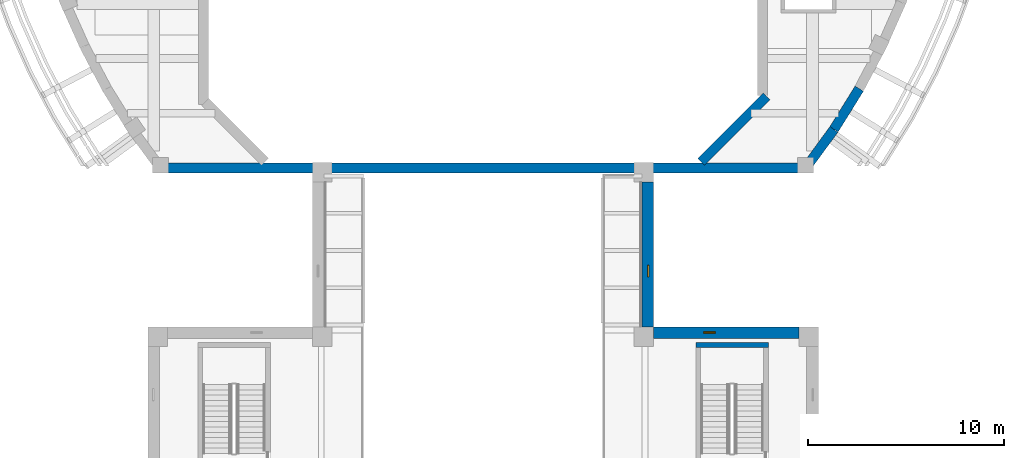
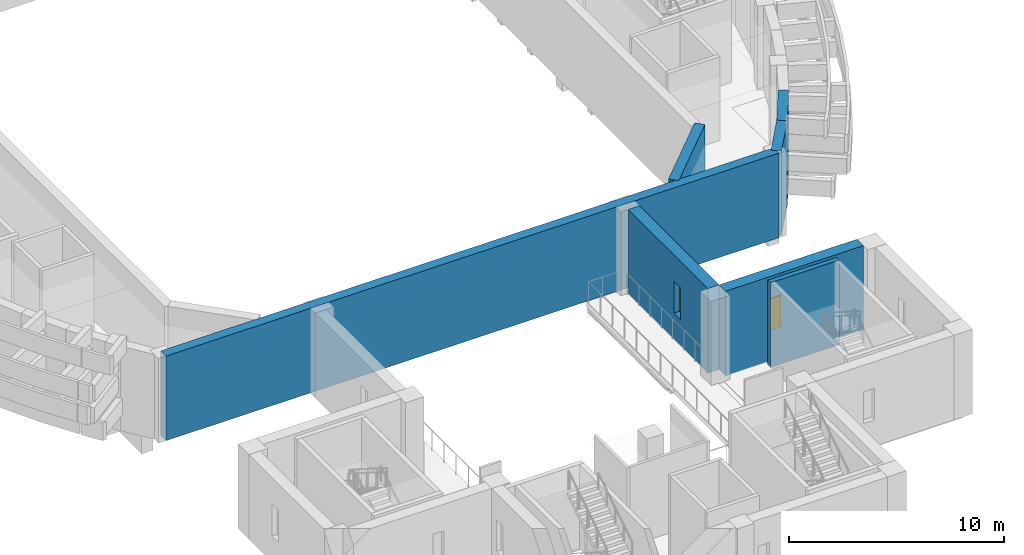
# One storey, part 8 of 37: 7 walls, 2 windows, 2 openings.
"""IFC4 building model written with IfcOpenShell, lengths in metres."""

from ifc_helpers import new_model, si_unit, direction, frame, frame_2d, origin, place, context, subcontext, project, spatial, rectangle, extrude, material, layer, layer_set, type_object, element, fill, save


model = new_model("IFC4")

# Units and contexts
model_context = context("Model", 3, precision=1e-05, world=origin(), true_north=direction((0.0, 1.0)))
body_context = subcontext(model_context, "Body", "Model", "MODEL_VIEW")
ifc_project = project(units=[si_unit("LENGTHUNIT", "METRE"), si_unit("AREAUNIT", "SQUARE_METRE"), si_unit("VOLUMEUNIT", "CUBIC_METRE"), si_unit("PLANEANGLEUNIT", "RADIAN"), si_unit("MASSUNIT", "GRAM", prefix="KILO")], contexts=[model_context])

# Site, building, storey
site_placement = place(None, origin())
site = spatial("IfcSite", under=ifc_project, at=site_placement, CompositionType="ELEMENT")
building_placement = place(site_placement, origin())
building = spatial("IfcBuilding", under=site, at=building_placement, Name="Larchfold Concert Hall", CompositionType="ELEMENT")
storey_placement = place(building_placement, frame((0.0, 0.0, 19.199951171875)))
storey = spatial("IfcBuildingStorey", under=building, at=storey_placement, Name="L04", CompositionType="ELEMENT", Elevation=19.199951171875)

# Walls
ifc_material_1 = material(Name="Concrete C40/50", Category="concrete")
ifc_layer_1 = layer(ifc_material_1, 0.25)
ifc_layer_set_1 = layer_set([ifc_layer_1], Name="Concrete C40/50")
wall_type_1 = type_object("IfcWallType", Name="Wall RC 250 stair core", PredefinedType="SOLIDWALL", material=ifc_layer_set_1)
wall_1_placement = place(storey_placement, frame((53.449951171875, 50.375, 0.0), z_axis=(0.0, 0.0, 1.0), x_axis=(1.0, 0.0, 0.0)))
element("IfcWall", 1, at=wall_1_placement, inside=storey, type_object=wall_type_1, Name="Wall W0063", PredefinedType="SOLIDWALL", context=body_context, shape_type="SweptSolid", body=[
    extrude(rectangle(XDim=3.699951171875, YDim=0.25, at=frame_2d((1.85009765625, 0.0))), origin(), (0.0, 0.0, 1.0), 4.800048828125),
])
ifc_material_2 = material(Name="Concrete C30/37", Category="concrete")
ifc_layer_2 = layer(ifc_material_2, 0.5)
ifc_layer_set_2 = layer_set([ifc_layer_2], Name="Concrete C30/37")
wall_type_2 = type_object("IfcWallType", Name="Wall RC 500 drum facade", PredefinedType="SOLIDWALL", material=ifc_layer_set_2)
wall_2_placement = place(storey_placement, frame((26.153076171875, 59.39990234375, 0.0), z_axis=(0.0, 0.0, 1.0), x_axis=(1.0, 0.0, 0.0)))
element("IfcWall", 2, at=wall_2_placement, inside=storey, type_object=wall_type_2, Name="Wall DW050", PredefinedType="SOLIDWALL", context=body_context, shape_type="SweptSolid", body=[
    extrude(rectangle(XDim=32.89404296875, YDim=0.5, at=frame_2d((16.447021484375, 0.0))), origin(), (0.0, 0.0, 1.0), 4.800048828125),
])
wall_3_placement = place(storey_placement, frame((59.047119140625, 59.39990234375, 0.0), z_axis=(0.0, 0.0, 1.0), x_axis=(0.590771306399, 0.806839056774, 0.0)))
element("IfcWall", 3, at=wall_3_placement, inside=storey, type_object=wall_type_2, Name="Wall DW051", PredefinedType="SOLIDWALL", context=body_context, shape_type="SweptSolid", body=[
    extrude(rectangle(XDim=2.448486328125, YDim=0.5, at=frame_2d((1.22412109375, 0.0))), origin(), (0.0, 0.0, 1.0), 4.800048828125),
])
wall_4_placement = place(storey_placement, frame((60.49365234375, 61.37548828125, 0.0), z_axis=(0.0, 0.0, 1.0), x_axis=(0.527702820527, 0.849429063082, 0.0)))
element("IfcWall", 4, at=wall_4_placement, inside=storey, type_object=wall_type_2, Name="Wall DW052", PredefinedType="SOLIDWALL", context=body_context, shape_type="SweptSolid", body=[
    extrude(rectangle(XDim=2.44873046875, YDim=0.5, at=frame_2d((1.224365234375, 0.0))), origin(), (0.0, 0.0, 1.0), 4.800048828125),
])
ifc_material_3 = material(Name="Concrete C40/50", Category="concrete")
ifc_layer_3 = layer(ifc_material_3, 0.5)
ifc_layer_set_3 = layer_set([ifc_layer_3], Name="Concrete C40/50")
wall_type_3 = type_object("IfcWallType", Name="Wall RC 500 hall shell", PredefinedType="SOLIDWALL", material=ifc_layer_set_3)
wall_5_placement = place(storey_placement, frame((53.722900390625, 59.72265625, 0.0), z_axis=(0.0, 0.0, 1.0), x_axis=(0.707106781187, 0.707106781187, 0.0)))
element("IfcWall", 5, at=wall_5_placement, inside=storey, type_object=wall_type_3, Name="Wall W0001", PredefinedType="SOLIDWALL", context=body_context, shape_type="SweptSolid", body=[
    extrude(rectangle(XDim=4.720947265625, YDim=0.5, at=frame_2d((2.3603515625, 0.0))), origin(), (0.0, 0.0, 1.0), 4.800048828125),
])

# Wall, opening, window
ifc_material_4 = material(Name="Concrete C40/50", Category="concrete")
ifc_layer_4 = layer(ifc_material_4, 0.60009765625)
ifc_layer_set_4 = layer_set([ifc_layer_4], Name="Concrete C40/50")
wall_type_4 = type_object("IfcWallType", Name="Wall RC 600 stage house", PredefinedType="SOLIDWALL", material=ifc_layer_set_4)
wall_6_placement = place(storey_placement, frame((58.699951171875, 51.0, 0.0), z_axis=(0.0, 0.0, 1.0), x_axis=(-1.0, 0.0, 0.0)))
wall_6 = element("IfcWall", 6, at=wall_6_placement, inside=storey, type_object=wall_type_4, Name="Wall W0010", PredefinedType="SOLIDWALL", context=body_context, shape_type="SweptSolid", body=[
    extrude(rectangle(XDim=7.39990234375, YDim=0.60009765625, at=frame_2d((3.699951171875, 0.0))), origin(), (0.0, 0.0, 1.0), 4.800048828125),
])
opening_1_placement = place(wall_6_placement, frame((4.25, 0.0, 1.5)))
opening_1 = element("IfcOpeningElement", 7, at=opening_1_placement, cuts=wall_6, Name="Opening WN-L04-003", PredefinedType="OPENING", context=body_context, shape_type="SweptSolid", body=[
    extrude(rectangle(XDim=0.60009765625, YDim=1.800048828125, at=frame_2d((0.300048828125, 0.89990234375))), frame((0.0, 0.31005859375, 0.0), z_axis=(0.0, -1.0, 0.0), x_axis=(1.0, 0.0, 0.0)), (0.0, 0.0, 1.0), 0.6201171875),
])
ifc_material_5 = material(Name="Anodised graphite aluminium frame with glass", Category="aluminium")
window_type = type_object("IfcWindowType", Name="Gallery slit window 600x1800", PartitioningType="SINGLE_PANEL", PredefinedType="WINDOW", material=ifc_material_5)
window_1_placement = place(opening_1_placement, origin())
window_1 = element("IfcWindow", 8, at=window_1_placement, inside=storey, type_object=window_type, Name="Window WN-L04-003", OverallHeight=1.800048828125, OverallWidth=0.60009765625, PartitioningType="SINGLE_PANEL", PredefinedType="WINDOW", context=body_context, shape_type="SweptSolid", body=[
    extrude(rectangle(XDim=0.60009765625, YDim=1.800048828125, at=frame_2d((0.300048828125, 0.89990234375))), frame((0.0, 0.010009765625, 0.0), z_axis=(0.0, -1.0, 0.0), x_axis=(1.0, 0.0, 0.0)), (0.0, 0.0, 1.0), 0.06005859375),
])
fill(opening_1, window_1)

wall_7_placement = place(storey_placement, frame((51.0, 51.300048828125, 0.0), z_axis=(0.0, 0.0, 1.0), x_axis=(0.0, 1.0, 0.0)))
wall_7 = element("IfcWall", 9, at=wall_7_placement, inside=storey, type_object=wall_type_4, Name="Wall W0011", PredefinedType="SOLIDWALL", context=body_context, shape_type="SweptSolid", body=[
    extrude(rectangle(XDim=7.39990234375, YDim=0.60009765625, at=frame_2d((3.699951171875, 0.0))), origin(), (0.0, 0.0, 1.0), 4.800048828125),
])
opening_2_placement = place(wall_7_placement, frame((2.550048828125, 0.0, 1.5)))
opening_2 = element("IfcOpeningElement", 10, at=opening_2_placement, cuts=wall_7, Name="Opening WN-L04-004", PredefinedType="OPENING", context=body_context, shape_type="SweptSolid", body=[
    extrude(rectangle(XDim=0.60009765625, YDim=1.800048828125, at=frame_2d((0.300048828125, 0.89990234375))), frame((0.0, 0.31005859375, 0.0), z_axis=(0.0, -1.0, 0.0), x_axis=(1.0, 0.0, 0.0)), (0.0, 0.0, 1.0), 0.6201171875),
])
window_2_placement = place(opening_2_placement, origin())
window_2 = element("IfcWindow", 11, at=window_2_placement, inside=storey, type_object=window_type, Name="Window WN-L04-004", OverallHeight=1.800048828125, OverallWidth=0.60009765625, PartitioningType="SINGLE_PANEL", PredefinedType="WINDOW", context=body_context, shape_type="SweptSolid", body=[
    extrude(rectangle(XDim=0.60009765625, YDim=1.800048828125, at=frame_2d((0.300048828125, 0.89990234375))), frame((0.0, 0.010009765625, 0.0), z_axis=(0.0, -1.0, 0.0), x_axis=(1.0, 0.0, 0.0)), (0.0, 0.0, 1.0), 0.06005859375),
])
fill(opening_2, window_2)

save(model, "model.ifc")
